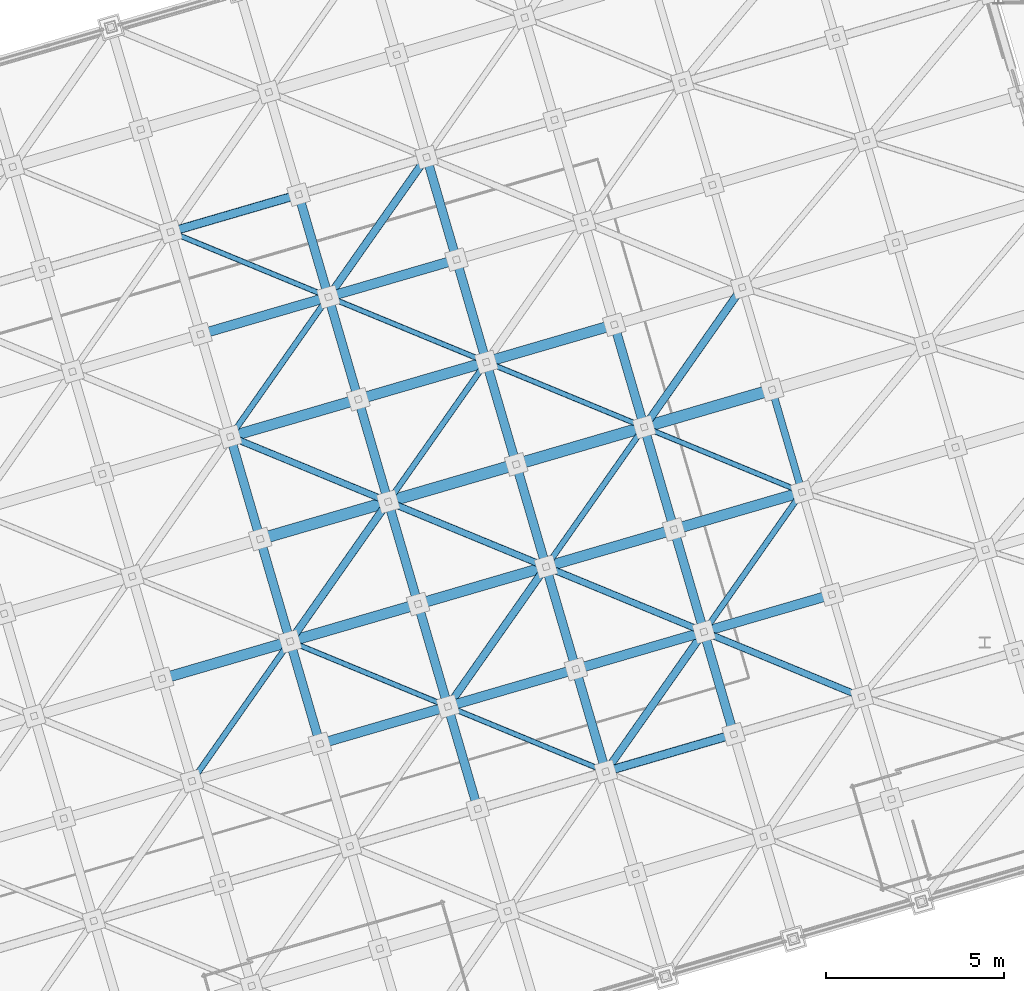
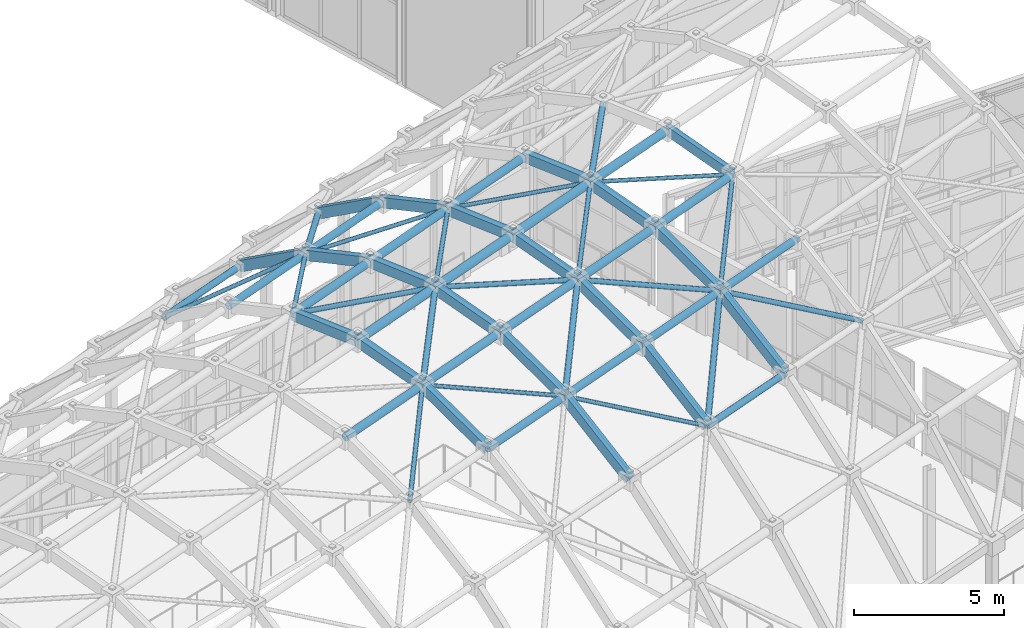
# One storey, part 72 of 248: 40 members, 20 beams.
"""IFC4 building model written with IfcOpenShell, lengths in metres."""

from ifc_helpers import new_model, si_unit, direction, frame, origin, origin_2d, place, context, subcontext, project, spatial, hollow_rectangle, hollow_circle, extrude, material, material_profile, profile_set, type_object, element, save


model = new_model("IFC4")

# Units and contexts
model_context = context("Model", 3, precision=1e-05, world=origin(), true_north=direction((0.0, 1.0)))
body_context = subcontext(model_context, "Body", "Model", "MODEL_VIEW")
ifc_project = project(units=[si_unit("LENGTHUNIT", "METRE"), si_unit("AREAUNIT", "SQUARE_METRE"), si_unit("VOLUMEUNIT", "CUBIC_METRE"), si_unit("PLANEANGLEUNIT", "RADIAN"), si_unit("MASSUNIT", "GRAM", prefix="KILO")], contexts=[model_context])

# Site, building, storey
site_placement = place(None, origin())
site = spatial("IfcSite", under=ifc_project, at=site_placement, CompositionType="ELEMENT")
building_placement = place(site_placement, origin())
building = spatial("IfcBuilding", under=site, at=building_placement, Name="Canggui Botanical Conservatory", CompositionType="ELEMENT")
storey_placement = place(building_placement, frame((0.0, 0.0, 5.39990234375)))
storey = spatial("IfcBuildingStorey", under=building, at=storey_placement, Name="L02", CompositionType="ELEMENT", Elevation=5.39990234375)

# Beams
ifc_material = material(Name="Steel Q355C", Category="steel")
ifc_material_profile_1 = material_profile(ifc_material, hollow_rectangle(XDim=0.25, YDim=0.39990234375, WallThickness=0.013916015625, at=origin_2d()), Name="RHS 250x400x14")
ifc_profile_set_1 = profile_set([ifc_material_profile_1], Name="Steel Q355C")
beam_type_1 = type_object("IfcBeamType", Name="BM-GJ03", PredefinedType="BEAM", material=ifc_profile_set_1)
beam_1_placement = place(storey_placement, frame((46.280029296875, 59.0400390625, 13.6640625), z_axis=(-0.261421746348, 0.896172891578, 0.358514740196), x_axis=(-0.959989061447, -0.280037500885, 0.0)))
element("IfcBeam", 1, at=beam_1_placement, inside=storey, type_object=beam_type_1, Name="Conservatory Stepped-Arch Rib GJ-09 Segment 4", PredefinedType="BEAM", context=body_context, shape_type="SweptSolid", body=[
    extrude(hollow_rectangle(XDim=0.25, YDim=0.39990234375, WallThickness=0.013916015625, at=origin_2d()), origin(), (0.0, 0.0, 1.0), 3.213623046875),
])
beam_2_placement = place(storey_placement, frame((45.43994140625, 61.919921875, 14.816162109375), z_axis=(-0.277674882378, 0.952247263781, 0.126971683134), x_axis=(-0.960017315421, -0.279940626011, 0.0)))
element("IfcBeam", 2, at=beam_2_placement, inside=storey, type_object=beam_type_1, Name="Conservatory Stepped-Arch Rib GJ-09 Segment 5", PredefinedType="BEAM", context=body_context, shape_type="SweptSolid", body=[
    extrude(hollow_rectangle(XDim=0.25, YDim=0.39990234375, WallThickness=0.013916015625, at=origin_2d()), origin(), (0.0, 0.0, 1.0), 3.024658203125),
])
beam_3_placement = place(storey_placement, frame((44.60009765625, 64.800048828125, 15.2001953125), z_axis=(-0.277770725345, 0.952218388891, -0.12697859662), x_axis=(-0.959989061447, -0.280037500885, 0.0)))
element("IfcBeam", 3, at=beam_3_placement, inside=storey, type_object=beam_type_1, Name="Conservatory Stepped-Arch Rib GJ-09 Segment 6", PredefinedType="BEAM", context=body_context, shape_type="SweptSolid", body=[
    extrude(hollow_rectangle(XDim=0.25, YDim=0.39990234375, WallThickness=0.013916015625, at=origin_2d()), origin(), (0.0, 0.0, 1.0), 3.0244140625),
])
beam_4_placement = place(storey_placement, frame((50.719970703125, 57.2099609375, 11.994140625), z_axis=(-0.23585528661, 0.808597737907, 0.539019463499), x_axis=(-0.959995442804, -0.2800156242, 0.0)))
element("IfcBeam", 4, at=beam_4_placement, inside=storey, type_object=beam_type_1, Name="Conservatory Stepped-Arch Rib GJ-10 Segment 3", PredefinedType="BEAM", context=body_context, shape_type="SweptSolid", body=[
    extrude(hollow_rectangle(XDim=0.25, YDim=0.39990234375, WallThickness=0.013916015625, at=origin_2d()), origin(), (0.0, 0.0, 1.0), 3.561767578125),
])
beam_5_placement = place(storey_placement, frame((49.8798828125, 60.090087890625, 13.9140625), z_axis=(-0.2613509637, 0.896190688314, 0.358521859796), x_axis=(-0.960010937337, -0.279962497833, 0.0)))
element("IfcBeam", 5, at=beam_5_placement, inside=storey, type_object=beam_type_1, Name="Conservatory Stepped-Arch Rib GJ-10 Segment 4", PredefinedType="BEAM", context=body_context, shape_type="SweptSolid", body=[
    extrude(hollow_rectangle(XDim=0.25, YDim=0.39990234375, WallThickness=0.013916015625, at=origin_2d()), origin(), (0.0, 0.0, 1.0), 3.21337890625),
])
beam_6_placement = place(storey_placement, frame((49.0400390625, 62.969970703125, 15.066162109375), z_axis=(-0.277749375577, 0.952225917953, 0.126968836903), x_axis=(-0.959995442804, -0.2800156242, 0.0)))
element("IfcBeam", 6, at=beam_6_placement, inside=storey, type_object=beam_type_1, Name="Conservatory Stepped-Arch Rib GJ-10 Segment 5", PredefinedType="BEAM", context=body_context, shape_type="SweptSolid", body=[
    extrude(hollow_rectangle(XDim=0.25, YDim=0.39990234375, WallThickness=0.013916015625, at=origin_2d()), origin(), (0.0, 0.0, 1.0), 3.024658203125),
])
beam_7_placement = place(storey_placement, frame((48.199951171875, 65.85009765625, 15.4501953125), z_axis=(-0.277696227377, 0.952239737831, -0.126981443507), x_axis=(-0.960010937337, -0.279962497833, 0.0)))
element("IfcBeam", 7, at=beam_7_placement, inside=storey, type_object=beam_type_1, Name="Conservatory Stepped-Arch Rib GJ-10 Segment 6", PredefinedType="BEAM", context=body_context, shape_type="SweptSolid", body=[
    extrude(hollow_rectangle(XDim=0.25, YDim=0.39990234375, WallThickness=0.013916015625, at=origin_2d()), origin(), (0.0, 0.0, 1.0), 3.0244140625),
])
beam_8_placement = place(storey_placement, frame((47.360107421875, 68.72998046875, 15.066162109375), z_axis=(-0.261403948618, 0.896187847093, -0.358490332324), x_axis=(-0.959995442804, -0.2800156242, 0.0)))
element("IfcBeam", 8, at=beam_8_placement, inside=storey, type_object=beam_type_1, Name="Conservatory Stepped-Arch Rib GJ-10 Segment 7", PredefinedType="BEAM", context=body_context, shape_type="SweptSolid", body=[
    extrude(hollow_rectangle(XDim=0.25, YDim=0.39990234375, WallThickness=0.013916015625, at=origin_2d()), origin(), (0.0, 0.0, 1.0), 3.2138671875),
])
for number, where, z_axis, x_axis, name in (
    (9, (46.52001953125, 71.610107421875, 13.9140625), (-0.235868359053, 0.808574008543, -0.539049339028), (-0.959989061447, -0.280037500885, 0.0), "Conservatory Stepped-Arch Rib GJ-10 Segment 8"),
    (10, (54.320068359375, 58.260009765625, 12.244140625), (-0.235868359053, 0.808574008543, 0.539049339028), (-0.959989061447, -0.280037500885, 0.0), "Conservatory Stepped-Arch Rib GJ-11 Segment 3"),
):
    element("IfcBeam", number, at=place(storey_placement, frame(where, z_axis=z_axis, x_axis=x_axis)), inside=storey, type_object=beam_type_1, Name=name, PredefinedType="BEAM", context=body_context, shape_type="SweptSolid", body=[
        extrude(hollow_rectangle(XDim=0.25, YDim=0.39990234375, WallThickness=0.013916015625, at=origin_2d()), origin(), (0.0, 0.0, 1.0), 3.561767578125),
    ])
beam_9_placement = place(storey_placement, frame((53.47998046875, 61.139892578125, 14.1640625), z_axis=(-0.261403948618, 0.896187847093, 0.358490332324), x_axis=(-0.959995442804, -0.2800156242, 0.0)))
element("IfcBeam", 11, at=beam_9_placement, inside=storey, type_object=beam_type_1, Name="Conservatory Stepped-Arch Rib GJ-11 Segment 4", PredefinedType="BEAM", context=body_context, shape_type="SweptSolid", body=[
    extrude(hollow_rectangle(XDim=0.25, YDim=0.39990234375, WallThickness=0.013916015625, at=origin_2d()), origin(), (0.0, 0.0, 1.0), 3.2138671875),
])
beam_10_placement = place(storey_placement, frame((52.639892578125, 64.02001953125, 15.316162109375), z_axis=(-0.277696227377, 0.952239737831, 0.126981443507), x_axis=(-0.960010937337, -0.279962497833, 0.0)))
element("IfcBeam", 12, at=beam_10_placement, inside=storey, type_object=beam_type_1, Name="Conservatory Stepped-Arch Rib GJ-11 Segment 5", PredefinedType="BEAM", context=body_context, shape_type="SweptSolid", body=[
    extrude(hollow_rectangle(XDim=0.25, YDim=0.39990234375, WallThickness=0.013916015625, at=origin_2d()), origin(), (0.0, 0.0, 1.0), 3.0244140625),
])
beam_11_placement = place(storey_placement, frame((51.800048828125, 66.89990234375, 15.7001953125), z_axis=(-0.277749375577, 0.952225917953, -0.126968836903), x_axis=(-0.959995442804, -0.2800156242, 0.0)))
element("IfcBeam", 13, at=beam_11_placement, inside=storey, type_object=beam_type_1, Name="Conservatory Stepped-Arch Rib GJ-11 Segment 6", PredefinedType="BEAM", context=body_context, shape_type="SweptSolid", body=[
    extrude(hollow_rectangle(XDim=0.25, YDim=0.39990234375, WallThickness=0.013916015625, at=origin_2d()), origin(), (0.0, 0.0, 1.0), 3.024658203125),
])
beam_12_placement = place(storey_placement, frame((50.9599609375, 69.780029296875, 15.316162109375), z_axis=(-0.2613509637, 0.896190688314, -0.358521859796), x_axis=(-0.960010937337, -0.279962497833, 0.0)))
element("IfcBeam", 14, at=beam_12_placement, inside=storey, type_object=beam_type_1, Name="Conservatory Stepped-Arch Rib GJ-11 Segment 7", PredefinedType="BEAM", context=body_context, shape_type="SweptSolid", body=[
    extrude(hollow_rectangle(XDim=0.25, YDim=0.39990234375, WallThickness=0.013916015625, at=origin_2d()), origin(), (0.0, 0.0, 1.0), 3.21337890625),
])
beam_13_placement = place(storey_placement, frame((50.1201171875, 72.659912109375, 14.1640625), z_axis=(-0.23585528661, 0.808597737907, -0.539019463499), x_axis=(-0.959995442804, -0.2800156242, 0.0)))
element("IfcBeam", 15, at=beam_13_placement, inside=storey, type_object=beam_type_1, Name="Conservatory Stepped-Arch Rib GJ-11 Segment 8", PredefinedType="BEAM", context=body_context, shape_type="SweptSolid", body=[
    extrude(hollow_rectangle(XDim=0.25, YDim=0.39990234375, WallThickness=0.013916015625, at=origin_2d()), origin(), (0.0, 0.0, 1.0), 3.561767578125),
])
beam_14_placement = place(storey_placement, frame((57.919921875, 59.31005859375, 12.494140625), z_axis=(-0.235803624532, 0.808587079936, 0.539058053291), x_axis=(-0.960010937337, -0.279962497833, 0.0)))
element("IfcBeam", 16, at=beam_14_placement, inside=storey, type_object=beam_type_1, Name="Conservatory Stepped-Arch Rib GJ-12 Segment 3", PredefinedType="BEAM", context=body_context, shape_type="SweptSolid", body=[
    extrude(hollow_rectangle(XDim=0.25, YDim=0.39990234375, WallThickness=0.013916015625, at=origin_2d()), origin(), (0.0, 0.0, 1.0), 3.5615234375),
])
beam_15_placement = place(storey_placement, frame((57.080078125, 62.18994140625, 14.4140625), z_axis=(-0.261403948618, 0.896187847093, 0.358490332324), x_axis=(-0.959995442804, -0.2800156242, 0.0)))
element("IfcBeam", 17, at=beam_15_placement, inside=storey, type_object=beam_type_1, Name="Conservatory Stepped-Arch Rib GJ-12 Segment 4", PredefinedType="BEAM", context=body_context, shape_type="SweptSolid", body=[
    extrude(hollow_rectangle(XDim=0.25, YDim=0.39990234375, WallThickness=0.013916015625, at=origin_2d()), origin(), (0.0, 0.0, 1.0), 3.2138671875),
])
beam_16_placement = place(storey_placement, frame((56.239990234375, 65.070068359375, 15.566162109375), z_axis=(-0.277770725345, 0.952218388891, 0.12697859662), x_axis=(-0.959989061447, -0.280037500885, 0.0)))
element("IfcBeam", 18, at=beam_16_placement, inside=storey, type_object=beam_type_1, Name="Conservatory Stepped-Arch Rib GJ-12 Segment 5", PredefinedType="BEAM", context=body_context, shape_type="SweptSolid", body=[
    extrude(hollow_rectangle(XDim=0.25, YDim=0.39990234375, WallThickness=0.013916015625, at=origin_2d()), origin(), (0.0, 0.0, 1.0), 3.0244140625),
])
beam_17_placement = place(storey_placement, frame((55.39990234375, 67.949951171875, 15.9501953125), z_axis=(-0.277674882378, 0.952247263781, -0.126971683134), x_axis=(-0.960017315421, -0.279940626011, 0.0)))
element("IfcBeam", 19, at=beam_17_placement, inside=storey, type_object=beam_type_1, Name="Conservatory Stepped-Arch Rib GJ-12 Segment 6", PredefinedType="BEAM", context=body_context, shape_type="SweptSolid", body=[
    extrude(hollow_rectangle(XDim=0.25, YDim=0.39990234375, WallThickness=0.013916015625, at=origin_2d()), origin(), (0.0, 0.0, 1.0), 3.024658203125),
])
ifc_material_profile_2 = material_profile(ifc_material, hollow_rectangle(XDim=0.199951171875, YDim=0.39990234375, WallThickness=0.011962890625, at=origin_2d()), Name="RHS 200x400x12")
ifc_profile_set_2 = profile_set([ifc_material_profile_2], Name="Steel Q355C")
beam_type_2 = type_object("IfcBeamType", Name="BM-GJ04", PredefinedType="BEAM", material=ifc_profile_set_2)
beam_18_placement = place(storey_placement, frame((59.840087890625, 66.1201171875, 15.816162109375), z_axis=(-0.277770725345, 0.952218388891, 0.12697859662), x_axis=(-0.959989061447, -0.280037500885, 0.0)))
element("IfcBeam", 20, at=beam_18_placement, inside=storey, type_object=beam_type_2, Name="Conservatory Stepped-Arch Rib GJ-13 Segment 5", PredefinedType="BEAM", context=body_context, shape_type="SweptSolid", body=[
    extrude(hollow_rectangle(XDim=0.199951171875, YDim=0.39990234375, WallThickness=0.011962890625, at=origin_2d()), origin(), (0.0, 0.0, 1.0), 3.0244140625),
])

# Members
ifc_material_profile_3 = material_profile(ifc_material, hollow_circle(Radius=0.16259765625, WallThickness=0.011962890625, at=origin_2d()), Name="CHS 325x12")
ifc_profile_set_3 = profile_set([ifc_material_profile_3], Name="Steel Q355C")
member_type_1 = type_object("IfcMemberType", Name="MEM-GSC01", PredefinedType="CHORD", material=ifc_profile_set_3)
for number, where, z_axis, x_axis, name in (
    (21, (44.60009765625, 64.800048828125, 15.2001953125), (0.957867059601, 0.279402253194, 0.066521252562), (-0.280022500685, 0.959993437014, 0.0), "Conservatory Gridshell Longitudinal Chord 9-5"),
    (22, (48.199951171875, 65.85009765625, 15.4501953125), (0.957889800097, 0.279324979006, 0.066518320582), (-0.279945000113, 0.960016039924, 0.0), "Conservatory Gridshell Longitudinal Chord 10-5"),
    (23, (51.800048828125, 66.89990234375, 15.7001953125), (0.957867059601, 0.279402253194, 0.066521252562), (-0.280022500685, 0.959993437014, 0.0), "Conservatory Gridshell Longitudinal Chord 11-5"),
):
    element("IfcMember", number, at=place(storey_placement, frame(where, z_axis=z_axis, x_axis=x_axis)), inside=storey, type_object=member_type_1, Name=name, PredefinedType="CHORD", context=body_context, shape_type="SweptSolid", body=[
        extrude(hollow_circle(Radius=0.16259765625, WallThickness=0.011962890625, at=origin_2d()), origin(), (0.0, 0.0, 1.0), 3.75830078125),
    ])
member_1_placement = place(storey_placement, frame((55.39990234375, 67.949951171875, 15.9501953125), z_axis=(0.957872417874, 0.27938486839, 0.066517113516), x_axis=(-0.280004999853, 0.959998541695, 0.0)))
element("IfcMember", 24, at=member_1_placement, inside=storey, type_object=member_type_1, Name="Conservatory Gridshell Longitudinal Chord 12-5", PredefinedType="CHORD", context=body_context, shape_type="SweptSolid", body=[
    extrude(hollow_circle(Radius=0.16259765625, WallThickness=0.011962890625, at=origin_2d()), origin(), (0.0, 0.0, 1.0), 3.758544921875),
])
ifc_material_profile_4 = material_profile(ifc_material, hollow_circle(Radius=0.1494140625, WallThickness=0.011962890625, at=origin_2d()), Name="CHS 299x12")
ifc_profile_set_4 = profile_set([ifc_material_profile_4], Name="Steel Q355C")
member_type_2 = type_object("IfcMemberType", Name="MEM-GSC02", PredefinedType="CHORD", material=ifc_profile_set_4)
member_2_placement = place(storey_placement, frame((41.840087890625, 60.8701171875, 14.566162109375), z_axis=(0.95788444389, 0.279342360714, 0.066522459854), x_axis=(-0.279962497833, 0.960010937337, 0.0)))
element("IfcMember", 25, at=member_2_placement, inside=storey, type_object=member_type_2, Name="Conservatory Gridshell Longitudinal Chord 8-4", PredefinedType="CHORD", context=body_context, shape_type="SweptSolid", body=[
    extrude(hollow_circle(Radius=0.1494140625, WallThickness=0.011962890625, at=origin_2d()), origin(), (0.0, 0.0, 1.0), 3.758056640625),
])
for number, where, z_axis, x_axis, name in (
    (26, (45.43994140625, 61.919921875, 14.816162109375), (0.957872417874, 0.27938486839, 0.066517113516), (-0.280004999853, 0.959998541695, 0.0), "Conservatory Gridshell Longitudinal Chord 9-4"),
    (27, (43.760009765625, 67.679931640625, 14.816162109375), (0.957872417874, 0.27938486839, 0.066517113516), (-0.280004999853, 0.959998541695, 0.0), "Conservatory Gridshell Longitudinal Chord 9-6"),
):
    element("IfcMember", number, at=place(storey_placement, frame(where, z_axis=z_axis, x_axis=x_axis)), inside=storey, type_object=member_type_2, Name=name, PredefinedType="CHORD", context=body_context, shape_type="SweptSolid", body=[
        extrude(hollow_circle(Radius=0.1494140625, WallThickness=0.011962890625, at=origin_2d()), origin(), (0.0, 0.0, 1.0), 3.758544921875),
    ])
for number, where, z_axis, x_axis, name in (
    (28, (49.0400390625, 62.969970703125, 15.066162109375), (0.957867059601, 0.279402253194, 0.066521252562), (-0.280022500685, 0.959993437014, 0.0), "Conservatory Gridshell Longitudinal Chord 10-4"),
    (29, (47.360107421875, 68.72998046875, 15.066162109375), (0.957867059601, 0.279402253194, 0.066521252562), (-0.280022500685, 0.959993437014, 0.0), "Conservatory Gridshell Longitudinal Chord 10-6"),
):
    element("IfcMember", number, at=place(storey_placement, frame(where, z_axis=z_axis, x_axis=x_axis)), inside=storey, type_object=member_type_2, Name=name, PredefinedType="CHORD", context=body_context, shape_type="SweptSolid", body=[
        extrude(hollow_circle(Radius=0.1494140625, WallThickness=0.011962890625, at=origin_2d()), origin(), (0.0, 0.0, 1.0), 3.75830078125),
    ])
for number, where, z_axis, x_axis, name in (
    (30, (52.639892578125, 64.02001953125, 15.316162109375), (0.957872417874, 0.27938486839, 0.066517113516), (-0.280004999853, 0.959998541695, 0.0), "Conservatory Gridshell Longitudinal Chord 11-4"),
    (31, (50.9599609375, 69.780029296875, 15.316162109375), (0.957872417874, 0.27938486839, 0.066517113516), (-0.280004999853, 0.959998541695, 0.0), "Conservatory Gridshell Longitudinal Chord 11-6"),
    (32, (56.239990234375, 65.070068359375, 15.566162109375), (0.957872417874, 0.27938486839, 0.066517113516), (-0.280004999853, 0.959998541695, 0.0), "Conservatory Gridshell Longitudinal Chord 12-4"),
):
    element("IfcMember", number, at=place(storey_placement, frame(where, z_axis=z_axis, x_axis=x_axis)), inside=storey, type_object=member_type_2, Name=name, PredefinedType="CHORD", context=body_context, shape_type="SweptSolid", body=[
        extrude(hollow_circle(Radius=0.1494140625, WallThickness=0.011962890625, at=origin_2d()), origin(), (0.0, 0.0, 1.0), 3.758544921875),
    ])
ifc_material_profile_5 = material_profile(ifc_material, hollow_circle(Radius=0.136474609375, WallThickness=0.010009765625, at=origin_2d()), Name="CHS 273x10")
ifc_profile_set_5 = profile_set([ifc_material_profile_5], Name="Steel Q355C")
member_type_3 = type_object("IfcMemberType", Name="MEM-GSC03", PredefinedType="CHORD", material=ifc_profile_set_5)
member_3_placement = place(storey_placement, frame((46.280029296875, 59.0400390625, 13.6640625), z_axis=(0.957867059601, 0.279402253194, 0.066521252562), x_axis=(-0.280022500685, 0.959993437014, 0.0)))
element("IfcMember", 33, at=member_3_placement, inside=storey, type_object=member_type_3, Name="Conservatory Gridshell Longitudinal Chord 9-3", PredefinedType="CHORD", context=body_context, shape_type="SweptSolid", body=[
    extrude(hollow_circle(Radius=0.136474609375, WallThickness=0.010009765625, at=origin_2d()), origin(), (0.0, 0.0, 1.0), 3.75830078125),
])
member_4_placement = place(storey_placement, frame((42.919921875, 70.56005859375, 13.6640625), z_axis=(0.957872417874, 0.27938486839, 0.066517113516), x_axis=(-0.280004999853, 0.959998541695, 0.0)))
element("IfcMember", 34, at=member_4_placement, inside=storey, type_object=member_type_3, Name="Conservatory Gridshell Longitudinal Chord 9-7", PredefinedType="CHORD", context=body_context, shape_type="SweptSolid", body=[
    extrude(hollow_circle(Radius=0.136474609375, WallThickness=0.010009765625, at=origin_2d()), origin(), (0.0, 0.0, 1.0), 3.758544921875),
])
for number, where, z_axis, x_axis, name in (
    (35, (49.8798828125, 60.090087890625, 13.9140625), (0.957889800097, 0.279324979006, 0.066518320582), (-0.279945000113, 0.960016039924, 0.0), "Conservatory Gridshell Longitudinal Chord 10-3"),
    (36, (46.52001953125, 71.610107421875, 13.9140625), (0.957889800097, 0.279324979006, 0.066518320582), (-0.279945000113, 0.960016039924, 0.0), "Conservatory Gridshell Longitudinal Chord 10-7"),
):
    element("IfcMember", number, at=place(storey_placement, frame(where, z_axis=z_axis, x_axis=x_axis)), inside=storey, type_object=member_type_3, Name=name, PredefinedType="CHORD", context=body_context, shape_type="SweptSolid", body=[
        extrude(hollow_circle(Radius=0.136474609375, WallThickness=0.010009765625, at=origin_2d()), origin(), (0.0, 0.0, 1.0), 3.75830078125),
    ])
member_5_placement = place(storey_placement, frame((53.47998046875, 61.139892578125, 14.1640625), z_axis=(0.957872417874, 0.27938486839, 0.066517113516), x_axis=(-0.280004999853, 0.959998541695, 0.0)))
element("IfcMember", 37, at=member_5_placement, inside=storey, type_object=member_type_3, Name="Conservatory Gridshell Longitudinal Chord 11-3", PredefinedType="CHORD", context=body_context, shape_type="SweptSolid", body=[
    extrude(hollow_circle(Radius=0.136474609375, WallThickness=0.010009765625, at=origin_2d()), origin(), (0.0, 0.0, 1.0), 3.758544921875),
])
member_6_placement = place(storey_placement, frame((57.080078125, 62.18994140625, 14.4140625), z_axis=(0.957867059601, 0.279402253194, 0.066521252562), x_axis=(-0.280022500685, 0.959993437014, 0.0)))
element("IfcMember", 38, at=member_6_placement, inside=storey, type_object=member_type_3, Name="Conservatory Gridshell Longitudinal Chord 12-3", PredefinedType="CHORD", context=body_context, shape_type="SweptSolid", body=[
    extrude(hollow_circle(Radius=0.136474609375, WallThickness=0.010009765625, at=origin_2d()), origin(), (0.0, 0.0, 1.0), 3.75830078125),
])
ifc_material_profile_6 = material_profile(ifc_material, hollow_circle(Radius=0.12255859375, WallThickness=0.010009765625, at=origin_2d()), Name="CHS 245x10")
ifc_profile_set_6 = profile_set([ifc_material_profile_6], Name="Steel Q355C")
member_type_4 = type_object("IfcMemberType", Name="MEM-GSC04", PredefinedType="CHORD", material=ifc_profile_set_6)
for number, where, z_axis, x_axis, name in (
    (39, (42.080078125, 73.43994140625, 11.744140625), (0.957867059601, 0.279402253194, 0.066521252562), (-0.280022500685, 0.959993437014, 0.0), "Conservatory Gridshell Longitudinal Chord 9-8"),
    (40, (54.320068359375, 58.260009765625, 12.244140625), (0.957867059601, 0.279402253194, 0.066521252562), (-0.280022500685, 0.959993437014, 0.0), "Conservatory Gridshell Longitudinal Chord 11-2"),
):
    element("IfcMember", number, at=place(storey_placement, frame(where, z_axis=z_axis, x_axis=x_axis)), inside=storey, type_object=member_type_4, Name=name, PredefinedType="CHORD", context=body_context, shape_type="SweptSolid", body=[
        extrude(hollow_circle(Radius=0.12255859375, WallThickness=0.010009765625, at=origin_2d()), origin(), (0.0, 0.0, 1.0), 3.75830078125),
    ])
ifc_material_profile_7 = material_profile(ifc_material, hollow_circle(Radius=0.109619140625, WallThickness=0.008056640625, at=origin_2d()), Name="CHS 219x8")
ifc_profile_set_7 = profile_set([ifc_material_profile_7], Name="Steel Q355C")
member_type_5 = type_object("IfcMemberType", Name="MEM-GSD01", PredefinedType="RAFTER", material=ifc_profile_set_7)
member_7_placement = place(storey_placement, frame((45.43994140625, 61.919921875, 14.816162109375), z_axis=(0.569759662727, 0.811321632073, 0.130885965865), x_axis=(-0.818361645525, 0.574703590674, 0.0)))
element("IfcMember", 41, at=member_7_placement, inside=storey, type_object=member_type_5, Name="Conservatory Gridshell Diagrid Rafter 9-5", PredefinedType="RAFTER", context=body_context, shape_type="SweptSolid", body=[
    extrude(hollow_circle(Radius=0.109619140625, WallThickness=0.008056640625, at=origin_2d()), origin(), (0.0, 0.0, 1.0), 4.84423828125),
])
member_8_placement = place(storey_placement, frame((49.8798828125, 60.090087890625, 13.9140625), z_axis=(0.551694194477, 0.785548115745, 0.280263578849), x_axis=(-0.818344854073, 0.574727500484, 0.0)))
element("IfcMember", 42, at=member_8_placement, inside=storey, type_object=member_type_5, Name="Conservatory Gridshell Diagrid Rafter 10-4", PredefinedType="RAFTER", context=body_context, shape_type="SweptSolid", body=[
    extrude(hollow_circle(Radius=0.109619140625, WallThickness=0.008056640625, at=origin_2d()), origin(), (0.0, 0.0, 1.0), 5.002685546875),
])
member_9_placement = place(storey_placement, frame((46.52001953125, 71.610107421875, 13.9140625), z_axis=(0.542843744059, 0.77294610775, -0.328443273716), x_axis=(-0.818344854073, 0.574727500484, 0.0)))
element("IfcMember", 43, at=member_9_placement, inside=storey, type_object=member_type_5, Name="Conservatory Gridshell Diagrid Rafter 10-8", PredefinedType="RAFTER", context=body_context, shape_type="SweptSolid", body=[
    extrude(hollow_circle(Radius=0.109619140625, WallThickness=0.008056640625, at=origin_2d()), origin(), (0.0, 0.0, 1.0), 5.08447265625),
])
member_10_placement = place(storey_placement, frame((54.320068359375, 58.260009765625, 12.244140625), z_axis=(0.52374291705, 0.74574876035, 0.411767098341), x_axis=(-0.818344854073, 0.574727500484, 0.0)))
element("IfcMember", 44, at=member_10_placement, inside=storey, type_object=member_type_5, Name="Conservatory Gridshell Diagrid Rafter 11-3", PredefinedType="RAFTER", context=body_context, shape_type="SweptSolid", body=[
    extrude(hollow_circle(Radius=0.109619140625, WallThickness=0.008056640625, at=origin_2d()), origin(), (0.0, 0.0, 1.0), 5.269775390625),
])
member_11_placement = place(storey_placement, frame((55.39990234375, 67.949951171875, 15.9501953125), z_axis=(0.574503779946, 0.818026302149, -0.027899387456), x_axis=(-0.818344854073, 0.574727500484, 0.0)))
element("IfcMember", 45, at=member_11_placement, inside=storey, type_object=member_type_5, Name="Conservatory Gridshell Diagrid Rafter 12-6", PredefinedType="RAFTER", context=body_context, shape_type="SweptSolid", body=[
    extrude(hollow_circle(Radius=0.109619140625, WallThickness=0.008056640625, at=origin_2d()), origin(), (0.0, 0.0, 1.0), 4.80419921875),
])
ifc_material_profile_8 = material_profile(ifc_material, hollow_circle(Radius=0.096923828125, WallThickness=0.008056640625, at=origin_2d()), Name="CHS 194x8")
ifc_profile_set_8 = profile_set([ifc_material_profile_8], Name="Steel Q355C")
member_type_6 = type_object("IfcMemberType", Name="MEM-GSD02", PredefinedType="RAFTER", material=ifc_profile_set_8)
member_12_placement = place(storey_placement, frame((43.760009765625, 67.679931640625, 14.816162109375), z_axis=(0.916604620859, -0.377760454929, 0.130893115604), x_axis=(0.381038726983, 0.924559077907, 0.0)))
element("IfcMember", 46, at=member_12_placement, inside=storey, type_object=member_type_6, Name="Conservatory Gridshell Diagrid Rafter 9-6", PredefinedType="RAFTER", context=body_context, shape_type="SweptSolid", body=[
    extrude(hollow_circle(Radius=0.096923828125, WallThickness=0.008056640625, at=origin_2d()), origin(), (0.0, 0.0, 1.0), 4.843994140625),
])
member_13_placement = place(storey_placement, frame((48.199951171875, 65.85009765625, 15.4501953125), z_axis=(0.924181280591, -0.380933843578, -0.027899236943), x_axis=(0.381082183428, 0.924541166998, 0.0)))
element("IfcMember", 47, at=member_13_placement, inside=storey, type_object=member_type_6, Name="Conservatory Gridshell Diagrid Rafter 10-5", PredefinedType="RAFTER", context=body_context, shape_type="SweptSolid", body=[
    extrude(hollow_circle(Radius=0.096923828125, WallThickness=0.008056640625, at=origin_2d()), origin(), (0.0, 0.0, 1.0), 4.80419921875),
])
member_14_placement = place(storey_placement, frame((52.639892578125, 64.02001953125, 15.316162109375), z_axis=(0.90865740133, -0.374514536777, -0.184609286739), x_axis=(0.381064272615, 0.924548549367, 0.0)))
element("IfcMember", 48, at=member_14_placement, inside=storey, type_object=member_type_6, Name="Conservatory Gridshell Diagrid Rafter 11-4", PredefinedType="RAFTER", context=body_context, shape_type="SweptSolid", body=[
    extrude(hollow_circle(Radius=0.096923828125, WallThickness=0.008056640625, at=origin_2d()), origin(), (0.0, 0.0, 1.0), 4.886474609375),
])
member_15_placement = place(storey_placement, frame((57.080078125, 62.18994140625, 14.4140625), z_axis=(0.873266642847, -0.359899564948, -0.328447368144), x_axis=(0.381038726983, 0.924559077907, 0.0)))
element("IfcMember", 49, at=member_15_placement, inside=storey, type_object=member_type_6, Name="Conservatory Gridshell Diagrid Rafter 12-3", PredefinedType="RAFTER", context=body_context, shape_type="SweptSolid", body=[
    extrude(hollow_circle(Radius=0.096923828125, WallThickness=0.008056640625, at=origin_2d()), origin(), (0.0, 0.0, 1.0), 5.084228515625),
])
ifc_material_profile_9 = material_profile(ifc_material, hollow_circle(Radius=0.083984375, WallThickness=0.008056640625, at=origin_2d()), Name="CHS 168x8")
ifc_profile_set_9 = profile_set([ifc_material_profile_9], Name="Steel Q355C")
member_type_7 = type_object("IfcMemberType", Name="MEM-GSD03", PredefinedType="RAFTER", material=ifc_profile_set_9)
member_16_placement = place(storey_placement, frame((42.679931640625, 57.989990234375, 13.4140625), z_axis=(0.551694194477, 0.785548115745, 0.280263578849), x_axis=(-0.818344854073, 0.574727500484, 0.0)))
element("IfcMember", 50, at=member_16_placement, inside=storey, type_object=member_type_7, Name="Conservatory Gridshell Diagrid Rafter 8-4", PredefinedType="RAFTER", context=body_context, shape_type="SweptSolid", body=[
    extrude(hollow_circle(Radius=0.083984375, WallThickness=0.008056640625, at=origin_2d()), origin(), (0.0, 0.0, 1.0), 5.002685546875),
])
member_17_placement = place(storey_placement, frame((43.760009765625, 67.679931640625, 14.816162109375), z_axis=(0.564825372808, 0.804295342898, -0.184611212077), x_axis=(-0.818361645525, 0.574703590674, 0.0)))
element("IfcMember", 51, at=member_17_placement, inside=storey, type_object=member_type_7, Name="Conservatory Gridshell Diagrid Rafter 9-7", PredefinedType="RAFTER", context=body_context, shape_type="SweptSolid", body=[
    extrude(hollow_circle(Radius=0.083984375, WallThickness=0.008056640625, at=origin_2d()), origin(), (0.0, 0.0, 1.0), 4.886474609375),
])
member_18_placement = place(storey_placement, frame((48.199951171875, 65.85009765625, 15.4501953125), z_axis=(0.574503779946, 0.818026302149, -0.027899387456), x_axis=(-0.818344854073, 0.574727500484, 0.0)))
element("IfcMember", 52, at=member_18_placement, inside=storey, type_object=member_type_7, Name="Conservatory Gridshell Diagrid Rafter 10-6", PredefinedType="RAFTER", context=body_context, shape_type="SweptSolid", body=[
    extrude(hollow_circle(Radius=0.083984375, WallThickness=0.008056640625, at=origin_2d()), origin(), (0.0, 0.0, 1.0), 4.80419921875),
])
member_19_placement = place(storey_placement, frame((52.639892578125, 64.02001953125, 15.316162109375), z_axis=(0.569782960748, 0.811304406826, 0.130891317918), x_axis=(-0.818344854073, 0.574727500484, 0.0)))
element("IfcMember", 53, at=member_19_placement, inside=storey, type_object=member_type_7, Name="Conservatory Gridshell Diagrid Rafter 11-5", PredefinedType="RAFTER", context=body_context, shape_type="SweptSolid", body=[
    extrude(hollow_circle(Radius=0.083984375, WallThickness=0.008056640625, at=origin_2d()), origin(), (0.0, 0.0, 1.0), 4.843994140625),
])
member_20_placement = place(storey_placement, frame((57.080078125, 62.18994140625, 14.4140625), z_axis=(0.551673045588, 0.785566801227, 0.2802528351), x_axis=(-0.818361645525, 0.574703590674, 0.0)))
element("IfcMember", 54, at=member_20_placement, inside=storey, type_object=member_type_7, Name="Conservatory Gridshell Diagrid Rafter 12-4", PredefinedType="RAFTER", context=body_context, shape_type="SweptSolid", body=[
    extrude(hollow_circle(Radius=0.083984375, WallThickness=0.008056640625, at=origin_2d()), origin(), (0.0, 0.0, 1.0), 5.0029296875),
])
ifc_material_profile_10 = material_profile(ifc_material, hollow_circle(Radius=0.075927734375, WallThickness=0.006103515625, at=origin_2d()), Name="CHS 152x6")
ifc_profile_set_10 = profile_set([ifc_material_profile_10], Name="Steel Q355C")
member_type_8 = type_object("IfcMemberType", Name="MEM-GSD04", PredefinedType="RAFTER", material=ifc_profile_set_10)
member_21_placement = place(storey_placement, frame((45.43994140625, 61.919921875, 14.816162109375), z_axis=(0.908665693325, -0.374488583057, -0.184621122668), x_axis=(0.381038726983, 0.924559077907, 0.0)))
element("IfcMember", 55, at=member_21_placement, inside=storey, type_object=member_type_8, Name="Conservatory Gridshell Diagrid Rafter 9-4", PredefinedType="RAFTER", context=body_context, shape_type="SweptSolid", body=[
    extrude(hollow_circle(Radius=0.075927734375, WallThickness=0.006103515625, at=origin_2d()), origin(), (0.0, 0.0, 1.0), 4.88623046875),
])
member_22_placement = place(storey_placement, frame((42.080078125, 73.43994140625, 11.744140625), z_axis=(0.842538630516, -0.347235622771, 0.41177187661), x_axis=(0.381038726983, 0.924559077907, 0.0)))
element("IfcMember", 56, at=member_22_placement, inside=storey, type_object=member_type_8, Name="Conservatory Gridshell Diagrid Rafter 9-8", PredefinedType="RAFTER", context=body_context, shape_type="SweptSolid", body=[
    extrude(hollow_circle(Radius=0.075927734375, WallThickness=0.006103515625, at=origin_2d()), origin(), (0.0, 0.0, 1.0), 5.269775390625),
])
member_23_placement = place(storey_placement, frame((49.8798828125, 60.090087890625, 13.9140625), z_axis=(0.873262950772, -0.359926270357, -0.328427920123), x_axis=(0.381064272615, 0.924548549367, 0.0)))
element("IfcMember", 57, at=member_23_placement, inside=storey, type_object=member_type_8, Name="Conservatory Gridshell Diagrid Rafter 10-3", PredefinedType="RAFTER", context=body_context, shape_type="SweptSolid", body=[
    extrude(hollow_circle(Radius=0.075927734375, WallThickness=0.006103515625, at=origin_2d()), origin(), (0.0, 0.0, 1.0), 5.08447265625),
])
member_24_placement = place(storey_placement, frame((46.52001953125, 71.610107421875, 13.9140625), z_axis=(0.88748878428, -0.365809739743, 0.280262184544), x_axis=(0.381082183428, 0.924541166998, 0.0)))
element("IfcMember", 58, at=member_24_placement, inside=storey, type_object=member_type_8, Name="Conservatory Gridshell Diagrid Rafter 10-7", PredefinedType="RAFTER", context=body_context, shape_type="SweptSolid", body=[
    extrude(hollow_circle(Radius=0.075927734375, WallThickness=0.006103515625, at=origin_2d()), origin(), (0.0, 0.0, 1.0), 5.0029296875),
])
member_25_placement = place(storey_placement, frame((50.9599609375, 69.780029296875, 15.316162109375), z_axis=(0.916587168266, -0.37780366289, 0.130890623336), x_axis=(0.381082183428, 0.924541166998, 0.0)))
element("IfcMember", 59, at=member_25_placement, inside=storey, type_object=member_type_8, Name="Conservatory Gridshell Diagrid Rafter 11-6", PredefinedType="RAFTER", context=body_context, shape_type="SweptSolid", body=[
    extrude(hollow_circle(Radius=0.075927734375, WallThickness=0.006103515625, at=origin_2d()), origin(), (0.0, 0.0, 1.0), 4.843994140625),
])
member_26_placement = place(storey_placement, frame((55.39990234375, 67.949951171875, 15.9501953125), z_axis=(0.924206582359, -0.380872509747, -0.027898466691), x_axis=(0.381020817519, 0.924566458735, 0.0)))
element("IfcMember", 60, at=member_26_placement, inside=storey, type_object=member_type_8, Name="Conservatory Gridshell Diagrid Rafter 12-5", PredefinedType="RAFTER", context=body_context, shape_type="SweptSolid", body=[
    extrude(hollow_circle(Radius=0.075927734375, WallThickness=0.006103515625, at=origin_2d()), origin(), (0.0, 0.0, 1.0), 4.804443359375),
])

save(model, "model.ifc")
